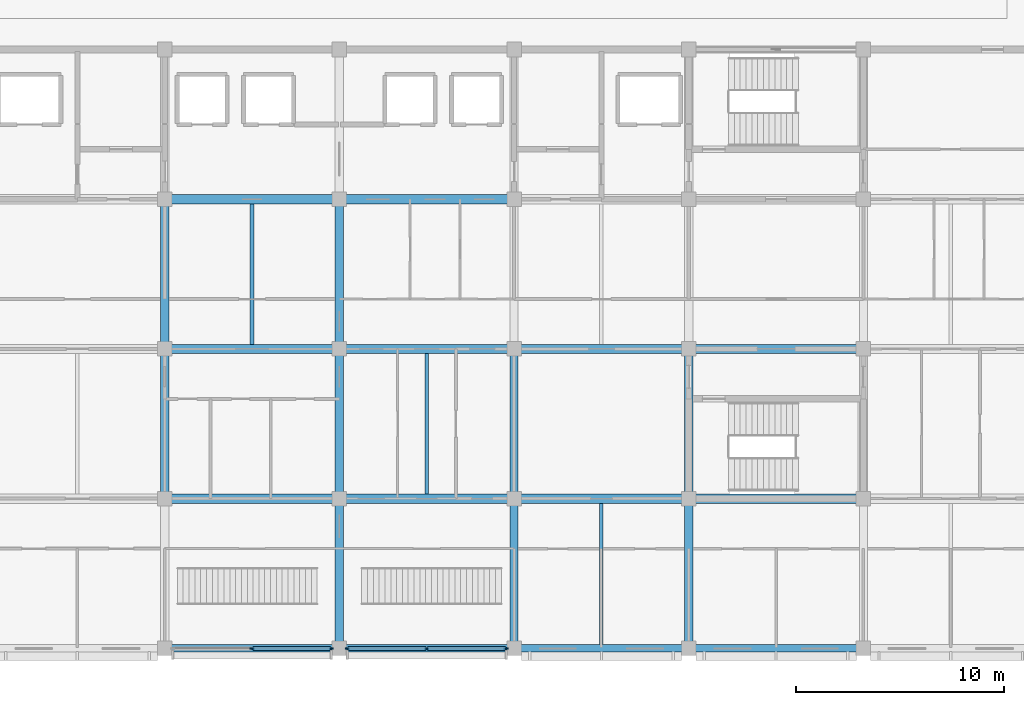
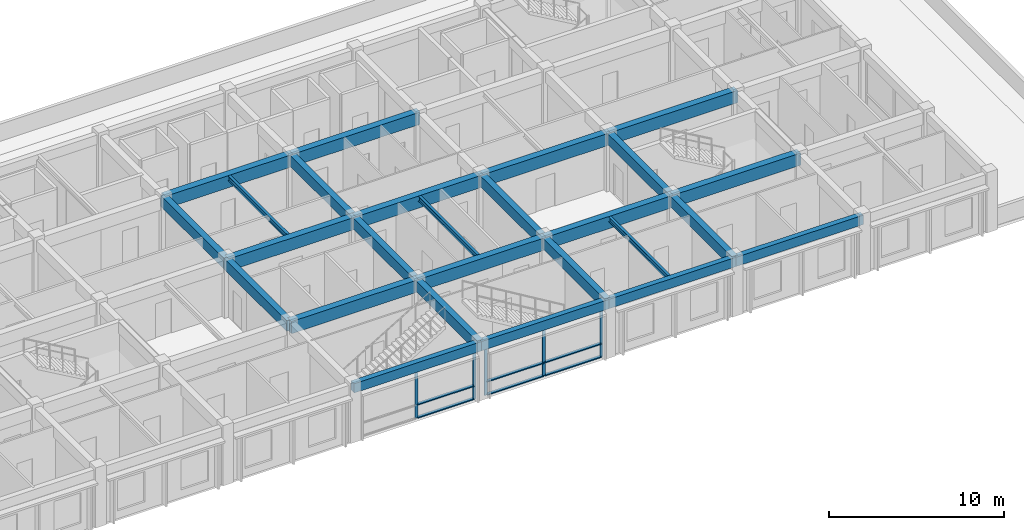
# One storey, part 3 of 19: 26 beams, 14 members, 2 elements without a shape of their own.
"""IFC4 building model written with IfcOpenShell, lengths in metres."""

from ifc_helpers import new_model, si_unit, direction, frame, origin, origin_2d, place, context, subcontext, project, spatial, rectangle, i_section, extrude, material, layer, layer_set, material_profile, profile_set, type_object, element, aggregate, save


model = new_model("IFC4")

# Units and contexts
model_context = context("Model", 3, precision=1e-05, world=origin(), true_north=direction((0.0, 1.0)))
body_context = subcontext(model_context, "Body", "Model", "MODEL_VIEW")
ifc_project = project(units=[si_unit("LENGTHUNIT", "METRE"), si_unit("AREAUNIT", "SQUARE_METRE"), si_unit("VOLUMEUNIT", "CUBIC_METRE"), si_unit("PLANEANGLEUNIT", "RADIAN"), si_unit("MASSUNIT", "GRAM", prefix="KILO")], contexts=[model_context])

# Site, building, storey
site_placement = place(None, origin())
site = spatial("IfcSite", under=ifc_project, at=site_placement, CompositionType="ELEMENT")
building_placement = place(site_placement, origin())
building = spatial("IfcBuilding", under=site, at=building_placement, Name="Chengyuan Square Courthouse", CompositionType="ELEMENT")
storey_placement = place(building_placement, frame((0.0, 0.0, 47.699951171875)))
storey = spatial("IfcBuildingStorey", under=building, at=storey_placement, Name="L11", CompositionType="ELEMENT", Elevation=47.699951171875)

# Beams
ifc_material_1 = material(Name="Concrete C40", Category="concrete")
ifc_material_profile_1 = material_profile(ifc_material_1, rectangle(XDim=0.449951171875, YDim=0.85009765625, at=origin_2d()), Name="RC-BM-450x850")
ifc_profile_set_1 = profile_set([ifc_material_profile_1], Name="Concrete C40")
beam_type_1 = type_object("IfcBeamType", Name="BM-01", PredefinedType="USERDEFINED", material=ifc_profile_set_1)
for number, where, z_axis, x_axis, name in (
    (1, (75.60009765625, 86.39990234375, 3.53515625), (1.0, 0.0, 0.0), (0.0, 1.0, 0.0), "Girder BM-L11-4169"),
    (2, (84.0, 86.39990234375, 3.53515625), (1.0, 0.0, 0.0), (0.0, 1.0, 0.0), "Girder BM-L11-4170"),
):
    element("IfcBeam", number, at=place(storey_placement, frame(where, z_axis=z_axis, x_axis=x_axis)), inside=storey, type_object=beam_type_1, Name=name, ObjectType="GIRDER", PredefinedType="USERDEFINED", context=body_context, shape_type="SweptSolid", body=[
        extrude(rectangle(XDim=0.449951171875, YDim=0.85009765625, at=origin_2d()), origin(), (0.0, 0.0, 1.0), 8.39990234375),
    ])
beam_1_placement = place(storey_placement, frame((92.39990234375, 86.39990234375, 3.53515625), z_axis=(1.0, 0.0, 0.0), x_axis=(0.0, 1.0, 0.0)))
element("IfcBeam", 3, at=beam_1_placement, inside=storey, type_object=beam_type_1, Name="Girder BM-L11-4171", ObjectType="GIRDER", PredefinedType="USERDEFINED", context=body_context, shape_type="SweptSolid", body=[
    extrude(rectangle(XDim=0.449951171875, YDim=0.85009765625, at=origin_2d()), origin(), (0.0, 0.0, 1.0), 8.400146484375),
])
for number, where, z_axis, x_axis, name in (
    (4, (100.800048828125, 86.39990234375, 3.53515625), (1.0, 0.0, 0.0), (0.0, 1.0, 0.0), "Girder BM-L11-4172"),
    (5, (75.60009765625, 93.60009765625, 3.53515625), (1.0, 0.0, 0.0), (0.0, 1.0, 0.0), "Girder BM-L11-4177"),
    (6, (84.0, 93.60009765625, 3.53515625), (1.0, 0.0, 0.0), (0.0, 1.0, 0.0), "Girder BM-L11-4178"),
):
    element("IfcBeam", number, at=place(storey_placement, frame(where, z_axis=z_axis, x_axis=x_axis)), inside=storey, type_object=beam_type_1, Name=name, ObjectType="GIRDER", PredefinedType="USERDEFINED", context=body_context, shape_type="SweptSolid", body=[
        extrude(rectangle(XDim=0.449951171875, YDim=0.85009765625, at=origin_2d()), origin(), (0.0, 0.0, 1.0), 8.39990234375),
    ])
beam_2_placement = place(storey_placement, frame((92.39990234375, 93.60009765625, 3.53515625), z_axis=(1.0, 0.0, 0.0), x_axis=(0.0, 1.0, 0.0)))
element("IfcBeam", 7, at=beam_2_placement, inside=storey, type_object=beam_type_1, Name="Girder BM-L11-4179", ObjectType="GIRDER", PredefinedType="USERDEFINED", context=body_context, shape_type="SweptSolid", body=[
    extrude(rectangle(XDim=0.449951171875, YDim=0.85009765625, at=origin_2d()), origin(), (0.0, 0.0, 1.0), 8.400146484375),
])
for number, where, z_axis, x_axis, name in (
    (8, (100.800048828125, 93.60009765625, 3.53515625), (1.0, 0.0, 0.0), (0.0, 1.0, 0.0), "Girder BM-L11-4180"),
    (9, (75.60009765625, 100.800048828125, 3.53515625), (1.0, 0.0, 0.0), (0.0, 1.0, 0.0), "Girder BM-L11-4185"),
    (10, (84.0, 100.800048828125, 3.53515625), (1.0, 0.0, 0.0), (0.0, 1.0, 0.0), "Girder BM-L11-4186"),
):
    element("IfcBeam", number, at=place(storey_placement, frame(where, z_axis=z_axis, x_axis=x_axis)), inside=storey, type_object=beam_type_1, Name=name, ObjectType="GIRDER", PredefinedType="USERDEFINED", context=body_context, shape_type="SweptSolid", body=[
        extrude(rectangle(XDim=0.449951171875, YDim=0.85009765625, at=origin_2d()), origin(), (0.0, 0.0, 1.0), 8.39990234375),
    ])
ifc_material_profile_2 = material_profile(ifc_material_1, rectangle(XDim=0.39990234375, YDim=0.75, at=origin_2d()), Name="RC-BM-400x750")
ifc_profile_set_2 = profile_set([ifc_material_profile_2], Name="Concrete C40")
beam_type_2 = type_object("IfcBeamType", Name="BM-02", PredefinedType="USERDEFINED", material=ifc_profile_set_2)
beam_3_placement = place(storey_placement, frame((75.60009765625, 86.39990234375, 3.5849609375), z_axis=(0.0, 1.0, 0.0), x_axis=(-1.0, 0.0, 0.0)))
element("IfcBeam", 11, at=beam_3_placement, inside=storey, type_object=beam_type_2, Name="Girder BM-L11-4211", ObjectType="GIRDER", PredefinedType="USERDEFINED", context=body_context, shape_type="SweptSolid", body=[
    extrude(rectangle(XDim=0.39990234375, YDim=0.75, at=origin_2d()), origin(), (0.0, 0.0, 1.0), 7.2001953125),
])
for number, where, z_axis, x_axis, name in (
    (12, (75.60009765625, 93.60009765625, 3.5849609375), (0.0, 1.0, 0.0), (-1.0, 0.0, 0.0), "Girder BM-L11-4212"),
    (13, (84.0, 79.199951171875, 3.5849609375), (0.0, 1.0, 0.0), (-1.0, 0.0, 0.0), "Girder BM-L11-4214"),
):
    element("IfcBeam", number, at=place(storey_placement, frame(where, z_axis=z_axis, x_axis=x_axis)), inside=storey, type_object=beam_type_2, Name=name, ObjectType="GIRDER", PredefinedType="USERDEFINED", context=body_context, shape_type="SweptSolid", body=[
        extrude(rectangle(XDim=0.39990234375, YDim=0.75, at=origin_2d()), origin(), (0.0, 0.0, 1.0), 7.199951171875),
    ])
beam_4_placement = place(storey_placement, frame((84.0, 86.39990234375, 3.5849609375), z_axis=(0.0, 1.0, 0.0), x_axis=(-1.0, 0.0, 0.0)))
element("IfcBeam", 14, at=beam_4_placement, inside=storey, type_object=beam_type_2, Name="Girder BM-L11-4215", ObjectType="GIRDER", PredefinedType="USERDEFINED", context=body_context, shape_type="SweptSolid", body=[
    extrude(rectangle(XDim=0.39990234375, YDim=0.75, at=origin_2d()), origin(), (0.0, 0.0, 1.0), 7.2001953125),
])
for number, where, z_axis, x_axis, name in (
    (15, (84.0, 93.60009765625, 3.5849609375), (0.0, 1.0, 0.0), (-1.0, 0.0, 0.0), "Girder BM-L11-4216"),
    (16, (92.39990234375, 79.199951171875, 3.5849609375), (0.0, 1.0, 0.0), (-1.0, 0.0, 0.0), "Girder BM-L11-4218"),
):
    element("IfcBeam", number, at=place(storey_placement, frame(where, z_axis=z_axis, x_axis=x_axis)), inside=storey, type_object=beam_type_2, Name=name, ObjectType="GIRDER", PredefinedType="USERDEFINED", context=body_context, shape_type="SweptSolid", body=[
        extrude(rectangle(XDim=0.39990234375, YDim=0.75, at=origin_2d()), origin(), (0.0, 0.0, 1.0), 7.199951171875),
    ])
beam_5_placement = place(storey_placement, frame((92.39990234375, 86.39990234375, 3.5849609375), z_axis=(0.0, 1.0, 0.0), x_axis=(-1.0, 0.0, 0.0)))
element("IfcBeam", 17, at=beam_5_placement, inside=storey, type_object=beam_type_2, Name="Girder BM-L11-4219", ObjectType="GIRDER", PredefinedType="USERDEFINED", context=body_context, shape_type="SweptSolid", body=[
    extrude(rectangle(XDim=0.39990234375, YDim=0.75, at=origin_2d()), origin(), (0.0, 0.0, 1.0), 7.2001953125),
])
beam_6_placement = place(storey_placement, frame((100.800048828125, 79.199951171875, 3.5849609375), z_axis=(0.0, 1.0, 0.0), x_axis=(-1.0, 0.0, 0.0)))
element("IfcBeam", 18, at=beam_6_placement, inside=storey, type_object=beam_type_2, Name="Girder BM-L11-4222", ObjectType="GIRDER", PredefinedType="USERDEFINED", context=body_context, shape_type="SweptSolid", body=[
    extrude(rectangle(XDim=0.39990234375, YDim=0.75, at=origin_2d()), origin(), (0.0, 0.0, 1.0), 7.199951171875),
])
beam_7_placement = place(storey_placement, frame((100.800048828125, 86.39990234375, 3.5849609375), z_axis=(0.0, 1.0, 0.0), x_axis=(-1.0, 0.0, 0.0)))
element("IfcBeam", 19, at=beam_7_placement, inside=storey, type_object=beam_type_2, Name="Girder BM-L11-4223", ObjectType="GIRDER", PredefinedType="USERDEFINED", context=body_context, shape_type="SweptSolid", body=[
    extrude(rectangle(XDim=0.39990234375, YDim=0.75, at=origin_2d()), origin(), (0.0, 0.0, 1.0), 7.2001953125),
])
ifc_material_profile_3 = material_profile(ifc_material_1, rectangle(XDim=0.35009765625, YDim=0.64990234375, at=origin_2d()), Name="RC-BM-350x650")
ifc_profile_set_3 = profile_set([ifc_material_profile_3], Name="Concrete C40")
beam_type_3 = type_object("IfcBeamType", Name="BM-03", PredefinedType="SPANDREL", material=ifc_profile_set_3)
for number, where, z_axis, x_axis, name in (
    (20, (75.60009765625, 79.199951171875, 3.635009765625), (1.0, 0.0, 0.0), (0.0, 1.0, 0.0), "Girder BM-L11-4161"),
    (21, (84.0, 79.199951171875, 3.635009765625), (1.0, 0.0, 0.0), (0.0, 1.0, 0.0), "Girder BM-L11-4162"),
):
    element("IfcBeam", number, at=place(storey_placement, frame(where, z_axis=z_axis, x_axis=x_axis)), inside=storey, type_object=beam_type_3, Name=name, PredefinedType="SPANDREL", context=body_context, shape_type="SweptSolid", body=[
        extrude(rectangle(XDim=0.35009765625, YDim=0.64990234375, at=origin_2d()), origin(), (0.0, 0.0, 1.0), 8.39990234375),
    ])
beam_8_placement = place(storey_placement, frame((92.39990234375, 79.199951171875, 3.635009765625), z_axis=(1.0, 0.0, 0.0), x_axis=(0.0, 1.0, 0.0)))
element("IfcBeam", 22, at=beam_8_placement, inside=storey, type_object=beam_type_3, Name="Girder BM-L11-4163", PredefinedType="SPANDREL", context=body_context, shape_type="SweptSolid", body=[
    extrude(rectangle(XDim=0.35009765625, YDim=0.64990234375, at=origin_2d()), origin(), (0.0, 0.0, 1.0), 8.400146484375),
])
beam_9_placement = place(storey_placement, frame((100.800048828125, 79.199951171875, 3.635009765625), z_axis=(1.0, 0.0, 0.0), x_axis=(0.0, 1.0, 0.0)))
element("IfcBeam", 23, at=beam_9_placement, inside=storey, type_object=beam_type_3, Name="Girder BM-L11-4164", PredefinedType="SPANDREL", context=body_context, shape_type="SweptSolid", body=[
    extrude(rectangle(XDim=0.35009765625, YDim=0.64990234375, at=origin_2d()), origin(), (0.0, 0.0, 1.0), 8.39990234375),
])
ifc_material_2 = material(Name="Steel Q355B", Category="steel")
ifc_material_profile_4 = material_profile(ifc_material_2, i_section(OverallWidth=0.175048828125, OverallDepth=0.35009765625, WebThickness=0.007080078125, FlangeThickness=0.010986328125, at=origin_2d()), Name="HN 350x175x7x11")
ifc_profile_set_4 = profile_set([ifc_material_profile_4], Name="Steel Q355B")
beam_type_4 = type_object("IfcBeamType", Name="BM-08", PredefinedType="BEAM", material=ifc_profile_set_4)
for number, where, z_axis, x_axis, name in (
    (24, (79.800048828125, 93.824951171875, 3.78515625), (0.0, 1.0, 0.0), (-1.0, 0.0, 0.0), "Secondary Floor Beam SBM-L11-4240"),
    (25, (88.199951171875, 86.625, 3.78515625), (0.0, 1.0, 0.0), (-1.0, 0.0, 0.0), "Secondary Floor Beam SBM-L11-4241"),
):
    element("IfcBeam", number, at=place(storey_placement, frame(where, z_axis=z_axis, x_axis=x_axis)), inside=storey, type_object=beam_type_4, Name=name, PredefinedType="BEAM", context=body_context, shape_type="SweptSolid", body=[
        extrude(i_section(OverallWidth=0.175048828125, OverallDepth=0.35009765625, WebThickness=0.007080078125, FlangeThickness=0.010986328125, at=origin_2d()), origin(), (0.0, 0.0, 1.0), 6.75),
    ])
beam_10_placement = place(storey_placement, frame((96.60009765625, 79.375, 3.78515625), z_axis=(0.0, 1.0, 0.0), x_axis=(-1.0, 0.0, 0.0)))
element("IfcBeam", 26, at=beam_10_placement, inside=storey, type_object=beam_type_4, Name="Secondary Floor Beam SBM-L11-4242", PredefinedType="BEAM", context=body_context, shape_type="SweptSolid", body=[
    extrude(i_section(OverallWidth=0.175048828125, OverallDepth=0.35009765625, WebThickness=0.007080078125, FlangeThickness=0.010986328125, at=origin_2d()), origin(), (0.0, 0.0, 1.0), 6.800048828125),
])

# Curtain wall, members
ifc_material_3 = material(Name="Unitised Aluminium and Triple Low-E Glass", Category="aluminium")
ifc_layer = layer(ifc_material_3, 0.199951171875)
ifc_layer_set = layer_set([ifc_layer], Name="Unitised Aluminium and Triple Low-E Glass")
curtain_wall_type = type_object("IfcCurtainWallType", Name="CW-07", PredefinedType="USERDEFINED", material=ifc_layer_set)
curtain_wall_1_placement = place(storey_placement, origin())
curtain_wall_1 = element("IfcCurtainWall", 27, at=curtain_wall_1_placement, inside=storey, type_object=curtain_wall_type, Name="Unitised Curtain Wall CW-L11-261", ObjectType="UNITISED CURTAIN WALL", PredefinedType="USERDEFINED")
ifc_material_4 = material(Name="Aluminium 6063-T6 Frame", Category="aluminium")
ifc_material_profile_5 = material_profile(ifc_material_4, rectangle(XDim=0.070068359375, YDim=0.199951171875, at=origin_2d()), Name="CW-MUL-70x200")
ifc_profile_set_5 = profile_set([ifc_material_profile_5], Name="Aluminium 6063-T6 Frame")
member_type_1 = type_object("IfcMemberType", Name="CWM-03", PredefinedType="MULLION", material=ifc_profile_set_5)
member_1_placement = place(storey_placement, frame((79.800048828125, 79.199951171875, 0.0), z_axis=(0.0, 0.0, 1.0), x_axis=(0.0, 1.0, 0.0)))
member_1 = element("IfcMember", 28, at=member_1_placement, type_object=member_type_1, Name="CW-07 mullion 2", PredefinedType="MULLION", context=body_context, shape_type="SweptSolid", body=[
    extrude(rectangle(XDim=0.070068359375, YDim=0.199951171875, at=origin_2d()), origin(), (0.0, 0.0, 1.0), 3.31005859375),
])
member_2_placement = place(storey_placement, frame((83.614990234375, 79.199951171875, 0.0), z_axis=(0.0, 0.0, 1.0), x_axis=(0.0, 1.0, 0.0)))
member_2 = element("IfcMember", 29, at=member_2_placement, type_object=member_type_1, Name="CW-07 mullion 3", PredefinedType="MULLION", context=body_context, shape_type="SweptSolid", body=[
    extrude(rectangle(XDim=0.070068359375, YDim=0.199951171875, at=origin_2d()), origin(), (0.0, 0.0, 1.0), 3.31005859375),
])

curtain_wall_2_placement = place(storey_placement, origin())
curtain_wall_2 = element("IfcCurtainWall", 30, at=curtain_wall_2_placement, inside=storey, type_object=curtain_wall_type, Name="Unitised Curtain Wall CW-L11-262", ObjectType="UNITISED CURTAIN WALL", PredefinedType="USERDEFINED")
member_3_placement = place(storey_placement, frame((84.385009765625, 79.199951171875, 0.0), z_axis=(0.0, 0.0, 1.0), x_axis=(0.0, 1.0, 0.0)))
member_3 = element("IfcMember", 31, at=member_3_placement, type_object=member_type_1, Name="CW-07 mullion 1", PredefinedType="MULLION", context=body_context, shape_type="SweptSolid", body=[
    extrude(rectangle(XDim=0.070068359375, YDim=0.199951171875, at=origin_2d()), origin(), (0.0, 0.0, 1.0), 3.31005859375),
])
member_4_placement = place(storey_placement, frame((88.199951171875, 79.199951171875, 0.0), z_axis=(0.0, 0.0, 1.0), x_axis=(0.0, 1.0, 0.0)))
member_4 = element("IfcMember", 32, at=member_4_placement, type_object=member_type_1, Name="CW-07 mullion 2", PredefinedType="MULLION", context=body_context, shape_type="SweptSolid", body=[
    extrude(rectangle(XDim=0.070068359375, YDim=0.199951171875, at=origin_2d()), origin(), (0.0, 0.0, 1.0), 3.31005859375),
])
member_5_placement = place(storey_placement, frame((92.014892578125, 79.199951171875, 0.0), z_axis=(0.0, 0.0, 1.0), x_axis=(0.0, 1.0, 0.0)))
member_5 = element("IfcMember", 33, at=member_5_placement, type_object=member_type_1, Name="CW-07 mullion 3", PredefinedType="MULLION", context=body_context, shape_type="SweptSolid", body=[
    extrude(rectangle(XDim=0.070068359375, YDim=0.199951171875, at=origin_2d()), origin(), (0.0, 0.0, 1.0), 3.31005859375),
])

# Member
ifc_material_profile_6 = material_profile(ifc_material_4, rectangle(XDim=0.199951171875, YDim=0.070068359375, at=origin_2d()), Name="CW-TRN-70x160")
ifc_profile_set_6 = profile_set([ifc_material_profile_6], Name="Aluminium 6063-T6 Frame")
member_type_2 = type_object("IfcMemberType", Name="CWT-03", PredefinedType="USERDEFINED", material=ifc_profile_set_6)
member_6_placement = place(storey_placement, frame((79.8349609375, 79.199951171875, 0.03515625), z_axis=(1.0, 0.0, 0.0), x_axis=(0.0, 1.0, 0.0)))
member_6 = element("IfcMember", 34, at=member_6_placement, type_object=member_type_2, Name="CW-07 transom 2.1", ObjectType="TRANSOM", PredefinedType="USERDEFINED", context=body_context, shape_type="SweptSolid", body=[
    extrude(rectangle(XDim=0.199951171875, YDim=0.070068359375, at=origin_2d()), origin(), (0.0, 0.0, 1.0), 3.7451171875),
])

member_7_placement = place(storey_placement, frame((79.8349609375, 79.199951171875, 0.949951171875), z_axis=(1.0, 0.0, 0.0), x_axis=(0.0, 1.0, 0.0)))
member_7 = element("IfcMember", 35, at=member_7_placement, type_object=member_type_2, Name="CW-07 transom 2.2", ObjectType="TRANSOM", PredefinedType="USERDEFINED", context=body_context, shape_type="SweptSolid", body=[
    extrude(rectangle(XDim=0.199951171875, YDim=0.070068359375, at=origin_2d()), origin(), (0.0, 0.0, 1.0), 3.7451171875),
])

member_8_placement = place(storey_placement, frame((79.8349609375, 79.199951171875, 3.275146484375), z_axis=(1.0, 0.0, 0.0), x_axis=(0.0, 1.0, 0.0)))
member_8 = element("IfcMember", 36, at=member_8_placement, type_object=member_type_2, Name="CW-07 transom 2.3", ObjectType="TRANSOM", PredefinedType="USERDEFINED", context=body_context, shape_type="SweptSolid", body=[
    extrude(rectangle(XDim=0.199951171875, YDim=0.070068359375, at=origin_2d()), origin(), (0.0, 0.0, 1.0), 3.7451171875),
])

aggregate(curtain_wall_1, [member_1, member_2, member_6, member_7, member_8])

member_9_placement = place(storey_placement, frame((84.419921875, 79.199951171875, 0.03515625), z_axis=(1.0, 0.0, 0.0), x_axis=(0.0, 1.0, 0.0)))
member_9 = element("IfcMember", 37, at=member_9_placement, type_object=member_type_2, Name="CW-07 transom 1.1", ObjectType="TRANSOM", PredefinedType="USERDEFINED", context=body_context, shape_type="SweptSolid", body=[
    extrude(rectangle(XDim=0.199951171875, YDim=0.070068359375, at=origin_2d()), origin(), (0.0, 0.0, 1.0), 3.7451171875),
])

member_10_placement = place(storey_placement, frame((84.419921875, 79.199951171875, 0.949951171875), z_axis=(1.0, 0.0, 0.0), x_axis=(0.0, 1.0, 0.0)))
member_10 = element("IfcMember", 38, at=member_10_placement, type_object=member_type_2, Name="CW-07 transom 1.2", ObjectType="TRANSOM", PredefinedType="USERDEFINED", context=body_context, shape_type="SweptSolid", body=[
    extrude(rectangle(XDim=0.199951171875, YDim=0.070068359375, at=origin_2d()), origin(), (0.0, 0.0, 1.0), 3.7451171875),
])

member_11_placement = place(storey_placement, frame((84.419921875, 79.199951171875, 3.275146484375), z_axis=(1.0, 0.0, 0.0), x_axis=(0.0, 1.0, 0.0)))
member_11 = element("IfcMember", 39, at=member_11_placement, type_object=member_type_2, Name="CW-07 transom 1.3", ObjectType="TRANSOM", PredefinedType="USERDEFINED", context=body_context, shape_type="SweptSolid", body=[
    extrude(rectangle(XDim=0.199951171875, YDim=0.070068359375, at=origin_2d()), origin(), (0.0, 0.0, 1.0), 3.7451171875),
])

member_12_placement = place(storey_placement, frame((88.235107421875, 79.199951171875, 0.03515625), z_axis=(1.0, 0.0, 0.0), x_axis=(0.0, 1.0, 0.0)))
member_12 = element("IfcMember", 40, at=member_12_placement, type_object=member_type_2, Name="CW-07 transom 2.1", ObjectType="TRANSOM", PredefinedType="USERDEFINED", context=body_context, shape_type="SweptSolid", body=[
    extrude(rectangle(XDim=0.199951171875, YDim=0.070068359375, at=origin_2d()), origin(), (0.0, 0.0, 1.0), 3.744873046875),
])

member_13_placement = place(storey_placement, frame((88.235107421875, 79.199951171875, 0.949951171875), z_axis=(1.0, 0.0, 0.0), x_axis=(0.0, 1.0, 0.0)))
member_13 = element("IfcMember", 41, at=member_13_placement, type_object=member_type_2, Name="CW-07 transom 2.2", ObjectType="TRANSOM", PredefinedType="USERDEFINED", context=body_context, shape_type="SweptSolid", body=[
    extrude(rectangle(XDim=0.199951171875, YDim=0.070068359375, at=origin_2d()), origin(), (0.0, 0.0, 1.0), 3.744873046875),
])

member_14_placement = place(storey_placement, frame((88.235107421875, 79.199951171875, 3.275146484375), z_axis=(1.0, 0.0, 0.0), x_axis=(0.0, 1.0, 0.0)))
member_14 = element("IfcMember", 42, at=member_14_placement, type_object=member_type_2, Name="CW-07 transom 2.3", ObjectType="TRANSOM", PredefinedType="USERDEFINED", context=body_context, shape_type="SweptSolid", body=[
    extrude(rectangle(XDim=0.199951171875, YDim=0.070068359375, at=origin_2d()), origin(), (0.0, 0.0, 1.0), 3.744873046875),
])

aggregate(curtain_wall_2, [member_3, member_4, member_5, member_9, member_10, member_11, member_12, member_13, member_14])

save(model, "model.ifc")
